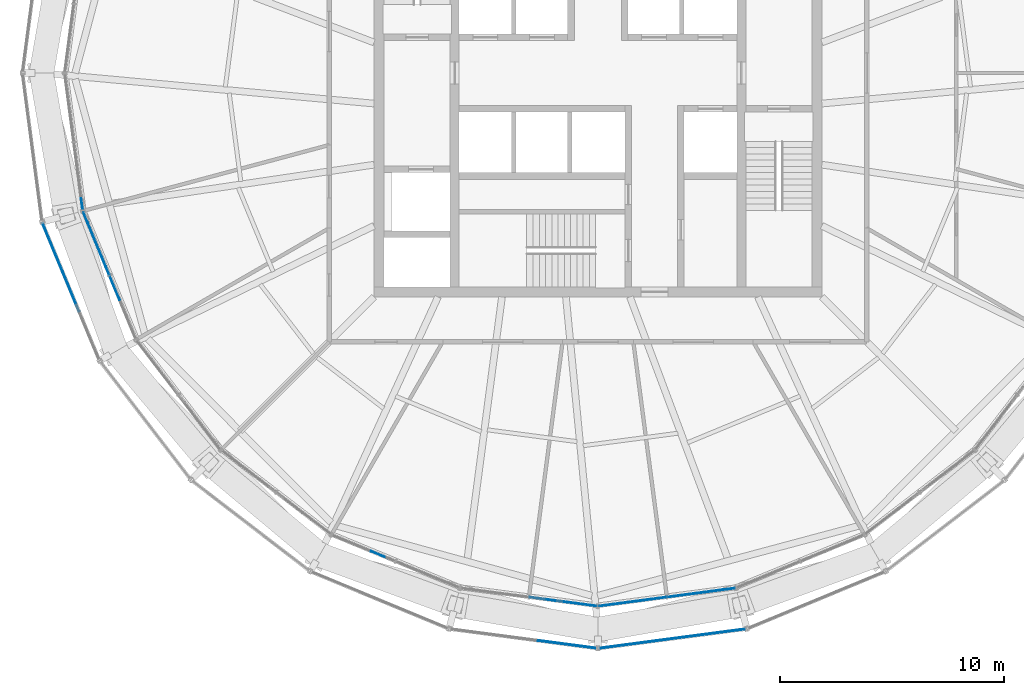
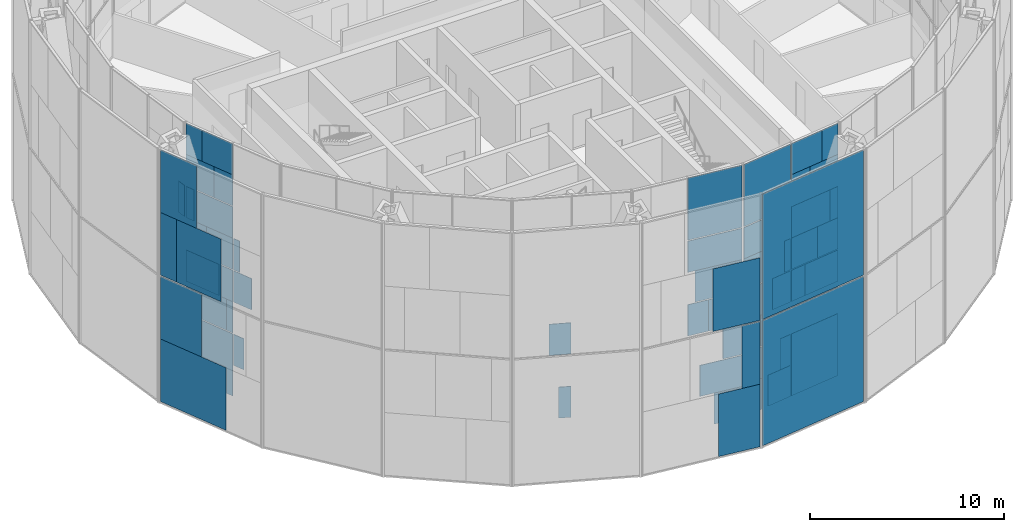
# One storey, part 14 of 28: 62 plates, 8 elements without a shape of their own.
"""IFC4 building model written with IfcOpenShell, lengths in metres."""

from ifc_helpers import new_model, si_unit, direction, frame, origin, origin_2d, place, context, subcontext, project, spatial, rectangle, extrude, material, layer, layer_set, type_object, element, aggregate, save


model = new_model("IFC4")

# Units and contexts
model_context = context("Model", 3, precision=1e-05, world=origin(), true_north=direction((0.0, 1.0)))
body_context = subcontext(model_context, "Body", "Model", "MODEL_VIEW")
ifc_project = project(units=[si_unit("LENGTHUNIT", "METRE"), si_unit("AREAUNIT", "SQUARE_METRE"), si_unit("VOLUMEUNIT", "CUBIC_METRE"), si_unit("PLANEANGLEUNIT", "RADIAN"), si_unit("MASSUNIT", "GRAM", prefix="KILO")], contexts=[model_context])

# Site, building, storey
site_placement = place(None, origin())
site = spatial("IfcSite", under=ifc_project, at=site_placement, CompositionType="ELEMENT")
building_placement = place(site_placement, origin())
building = spatial("IfcBuilding", under=site, at=building_placement, Name="Golbaran Civic Tower", CompositionType="ELEMENT")
storey_placement = place(building_placement, frame((0.0, 0.0, 183.0)))
storey = spatial("IfcBuildingStorey", under=building, at=storey_placement, Name="L44", CompositionType="ELEMENT", Elevation=183.0)

# Curtain wall, plate
ifc_material_1 = material(Name="Aluminium and glass", Category="aluminium")
curtain_wall_type_1 = type_object("IfcCurtainWallType", Name="INNER SKIN CURTAIN WALL EXECUTIVE", PredefinedType="NOTDEFINED", material=ifc_material_1)
curtain_wall_1_placement = place(storey_placement, origin())
curtain_wall_1 = element("IfcCurtainWall", 1, at=curtain_wall_1_placement, inside=storey, type_object=curtain_wall_type_1, Name="Inner skin L44 facet 13 CW2", ObjectType="INNER SKIN", PredefinedType="USERDEFINED")
ifc_material_2 = material(Name="Clear insulating glass", Category="glass")
ifc_layer_1 = layer(ifc_material_2, 0.031982421875, Name="Clear insulating glass")
ifc_layer_set_1 = layer_set([ifc_layer_1], Name="Clear insulating glass")
plate_type_1 = type_object("IfcPlateType", Name="INNER SKIN CURTAIN WALL EXECUTIVE GLAZED PANEL", PredefinedType="CURTAIN_PANEL", material=ifc_layer_set_1)
plate_1_placement = place(storey_placement, frame((-23.04248046875, -5.84423828125, 10.0), z_axis=(0.0, 0.0, 1.0), x_axis=(0.130526192151, -0.991444861383, 0.0)))
plate_1 = element("IfcPlate", 2, at=plate_1_placement, type_object=plate_type_1, Name="CW2 panel 2.3 part 4", PredefinedType="CURTAIN_PANEL", context=body_context, shape_type="SweptSolid", body=[
    extrude(rectangle(XDim=0.523193359375, YDim=0.031982421875, at=origin_2d()), origin(), (0.0, 0.0, 1.0), 1.969970703125),
])
aggregate(curtain_wall_1, [plate_1])

# Curtain wall, plates
curtain_wall_2_placement = place(storey_placement, origin())
curtain_wall_2 = element("IfcCurtainWall", 3, at=curtain_wall_2_placement, inside=storey, type_object=curtain_wall_type_1, Name="Inner skin L44 facet 14 CW2", ObjectType="INNER SKIN", PredefinedType="USERDEFINED")
plate_2_placement = place(storey_placement, frame((-22.400146484375, -7.612548828125, 0.06005859375), z_axis=(0.0, 0.0, 1.0), x_axis=(0.382683432413, -0.923879532491, 0.0)))
plate_2 = element("IfcPlate", 4, at=plate_2_placement, type_object=plate_type_1, Name="CW2 panel 1.1", PredefinedType="CURTAIN_PANEL", context=body_context, shape_type="SweptSolid", body=[
    extrude(rectangle(XDim=3.01806640625, YDim=0.031982421875, at=origin_2d()), origin(), (0.0, 0.0, 1.0), 3.909912109375),
])
plate_3_placement = place(storey_placement, frame((-22.476806640625, -7.42724609375, 4.02978515625), z_axis=(0.0, 0.0, 1.0), x_axis=(0.382683432413, -0.923879532491, 0.0)))
plate_3 = element("IfcPlate", 5, at=plate_3_placement, type_object=plate_type_1, Name="CW2 panel 1.2 part 1", PredefinedType="CURTAIN_PANEL", context=body_context, shape_type="SweptSolid", body=[
    extrude(rectangle(XDim=2.616943359375, YDim=0.031982421875, at=origin_2d()), origin(), (0.0, 0.0, 1.0), 1.969970703125),
])
plate_4_placement = place(storey_placement, frame((-22.56884765625, -7.205078125, 6.0), z_axis=(0.0, 0.0, 1.0), x_axis=(0.382683432413, -0.923879532491, 0.0)))
plate_4 = element("IfcPlate", 6, at=plate_4_placement, type_object=plate_type_1, Name="CW2 panel 1.2 part 3", PredefinedType="CURTAIN_PANEL", context=body_context, shape_type="SweptSolid", body=[
    extrude(rectangle(XDim=2.135986328125, YDim=0.031982421875, at=origin_2d()), origin(), (0.0, 0.0, 1.0), 1.969970703125),
])
plate_5_placement = place(storey_placement, frame((-22.7255859375, -6.826904296875, 8.02978515625), z_axis=(0.0, 0.0, 1.0), x_axis=(0.382683432413, -0.923879532491, 0.0)))
plate_5 = element("IfcPlate", 7, at=plate_5_placement, type_object=plate_type_1, Name="CW2 panel 1.3 part 1", PredefinedType="CURTAIN_PANEL", context=body_context, shape_type="SweptSolid", body=[
    extrude(rectangle(XDim=1.31689453125, YDim=0.031982421875, at=origin_2d()), origin(), (0.0, 0.0, 1.0), 1.969970703125),
])
plate_6_placement = place(storey_placement, frame((-22.877685546875, -6.4599609375, 10.0), z_axis=(0.0, 0.0, 1.0), x_axis=(0.382683432413, -0.923879532491, 0.0)))
plate_6 = element("IfcPlate", 8, at=plate_6_placement, type_object=plate_type_1, Name="CW2 panel 1.3 part 3", PredefinedType="CURTAIN_PANEL", context=body_context, shape_type="SweptSolid", body=[
    extrude(rectangle(XDim=0.52294921875, YDim=0.031982421875, at=origin_2d()), origin(), (0.0, 0.0, 1.0), 1.969970703125),
])
plate_7_placement = place(storey_placement, frame((-22.053955078125, -8.44873046875, 12.030029296875), z_axis=(0.0, 0.0, 1.0), x_axis=(0.382683432413, -0.923879532491, 0.0)))
plate_7 = element("IfcPlate", 9, at=plate_7_placement, type_object=plate_type_1, Name="CW2 panel 1.4 part 2", PredefinedType="CURTAIN_PANEL", context=body_context, shape_type="SweptSolid", body=[
    extrude(rectangle(XDim=1.2080078125, YDim=0.031982421875, at=origin_2d()), origin(), (0.0, 0.0, 1.0), 1.955078125),
])
plate_8_placement = place(storey_placement, frame((-22.20458984375, -8.084716796875, 13.98486328125), z_axis=(0.0, 0.0, 1.0), x_axis=(0.382683432413, -0.923879532491, 0.0)))
plate_8 = element("IfcPlate", 10, at=plate_8_placement, type_object=plate_type_1, Name="CW2 panel 1.4 part 4", PredefinedType="CURTAIN_PANEL", context=body_context, shape_type="SweptSolid", body=[
    extrude(rectangle(XDim=1.99609375, YDim=0.031982421875, at=origin_2d()), origin(), (0.0, 0.0, 1.0), 1.955078125),
])
plate_9_placement = place(storey_placement, frame((-21.671630859375, -9.371826171875, 2.014892578125), z_axis=(0.0, 0.0, 1.0), x_axis=(0.382683432413, -0.923879532491, 0.0)))
plate_9 = element("IfcPlate", 11, at=plate_9_placement, type_object=plate_type_1, Name="CW2 panel 2.1 part 3", PredefinedType="CURTAIN_PANEL", context=body_context, shape_type="SweptSolid", body=[
    extrude(rectangle(XDim=0.669921875, YDim=0.031982421875, at=origin_2d()), origin(), (0.0, 0.0, 1.0), 1.955078125),
])

# Curtain wall, plate
curtain_wall_3_placement = place(storey_placement, origin())
curtain_wall_3 = element("IfcCurtainWall", 12, at=curtain_wall_3_placement, inside=storey, type_object=curtain_wall_type_1, Name="Inner skin L44 facet 17 CW2", ObjectType="INNER SKIN", PredefinedType="USERDEFINED")
plate_10_placement = place(storey_placement, frame((-9.371826171875, -21.671630859375, 2.014892578125), z_axis=(0.0, 0.0, 1.0), x_axis=(0.923879532491, -0.382683432413, 0.0)))
plate_10 = element("IfcPlate", 13, at=plate_10_placement, type_object=plate_type_1, Name="CW2 panel 1.1 part 4", PredefinedType="CURTAIN_PANEL", context=body_context, shape_type="SweptSolid", body=[
    extrude(rectangle(XDim=0.670166015625, YDim=0.031982421875, at=origin_2d()), origin(), (0.0, 0.0, 1.0), 1.955078125),
])

# Curtain wall, plates
curtain_wall_4_placement = place(storey_placement, origin())
curtain_wall_4 = element("IfcCurtainWall", 14, at=curtain_wall_4_placement, inside=storey, type_object=curtain_wall_type_1, Name="Inner skin L44 facet 18 CW2", ObjectType="INNER SKIN", PredefinedType="USERDEFINED")
plate_11_placement = place(storey_placement, frame((-0.5849609375, -23.73486328125, 4.02978515625), z_axis=(0.0, 0.0, 1.0), x_axis=(0.991444861383, -0.130526192151, 0.0)))
plate_11 = element("IfcPlate", 15, at=plate_11_placement, type_object=plate_type_1, Name="CW2 panel 2.2 part 2", PredefinedType="CURTAIN_PANEL", context=body_context, shape_type="SweptSolid", body=[
    extrude(rectangle(XDim=1.06005859375, YDim=0.031982421875, at=origin_2d()), origin(), (0.0, 0.0, 1.0), 1.969970703125),
])
plate_12_placement = place(storey_placement, frame((-0.97900390625, -23.68310546875, 6.0), z_axis=(0.0, 0.0, 1.0), x_axis=(0.991444861383, -0.130526192151, 0.0)))
plate_12 = element("IfcPlate", 16, at=plate_12_placement, type_object=plate_type_1, Name="CW2 panel 2.2 part 4", PredefinedType="CURTAIN_PANEL", context=body_context, shape_type="SweptSolid", body=[
    extrude(rectangle(XDim=1.85498046875, YDim=0.031982421875, at=origin_2d()), origin(), (0.0, 0.0, 1.0), 1.969970703125),
])
plate_13_placement = place(storey_placement, frame((-1.35693359375, -23.63330078125, 8.02978515625), z_axis=(0.0, 0.0, 1.0), x_axis=(0.991444861383, -0.130526192151, 0.0)))
plate_13 = element("IfcPlate", 17, at=plate_13_placement, type_object=plate_type_1, Name="CW2 panel 2.3 part 2", PredefinedType="CURTAIN_PANEL", context=body_context, shape_type="SweptSolid", body=[
    extrude(rectangle(XDim=2.6171875, YDim=0.031982421875, at=origin_2d()), origin(), (0.0, 0.0, 1.0), 1.969970703125),
])
plate_14_placement = place(storey_placement, frame((-1.5556640625, -23.607177734375, 10.0), z_axis=(0.0, 0.0, 1.0), x_axis=(0.991444861383, -0.130526192151, 0.0)))
plate_14 = element("IfcPlate", 18, at=plate_14_placement, type_object=plate_type_1, Name="CW2 panel 2.3 part 3", PredefinedType="CURTAIN_PANEL", context=body_context, shape_type="SweptSolid", body=[
    extrude(rectangle(XDim=3.01806640625, YDim=0.031982421875, at=origin_2d()), origin(), (0.0, 0.0, 1.0), 1.969970703125),
])
plate_15_placement = place(storey_placement, frame((-1.5556640625, -23.607177734375, 12.0302734375), z_axis=(0.0, 0.0, 1.0), x_axis=(0.991444861383, -0.130526192151, 0.0)))
plate_15 = element("IfcPlate", 19, at=plate_15_placement, type_object=plate_type_1, Name="CW2 panel 2.4", PredefinedType="CURTAIN_PANEL", context=body_context, shape_type="SweptSolid", body=[
    extrude(rectangle(XDim=3.01806640625, YDim=0.031982421875, at=origin_2d()), origin(), (0.0, 0.0, 1.0), 3.909912109375),
])

curtain_wall_5_placement = place(storey_placement, origin())
curtain_wall_5 = element("IfcCurtainWall", 20, at=curtain_wall_5_placement, inside=storey, type_object=curtain_wall_type_1, Name="Inner skin L44 facet 19 CW2", ObjectType="INNER SKIN", PredefinedType="USERDEFINED")
plate_16_placement = place(storey_placement, frame((2.328369140625, -23.50537109375, 0.06005859375), z_axis=(0.0, 0.0, 1.0), x_axis=(0.991444861383, 0.130526192151, 0.0)))
plate_16 = element("IfcPlate", 21, at=plate_16_placement, type_object=plate_type_1, Name="CW2 panel 1.1 part 2", PredefinedType="CURTAIN_PANEL", context=body_context, shape_type="SweptSolid", body=[
    extrude(rectangle(XDim=1.458984375, YDim=0.031982421875, at=origin_2d()), origin(), (0.0, 0.0, 1.0), 1.955078125),
])
plate_17_placement = place(storey_placement, frame((2.719482421875, -23.453857421875, 2.014892578125), z_axis=(0.0, 0.0, 1.0), x_axis=(0.991444861383, 0.130526192151, 0.0)))
plate_17 = element("IfcPlate", 22, at=plate_17_placement, type_object=plate_type_1, Name="CW2 panel 1.1 part 4", PredefinedType="CURTAIN_PANEL", context=body_context, shape_type="SweptSolid", body=[
    extrude(rectangle(XDim=0.670166015625, YDim=0.031982421875, at=origin_2d()), origin(), (0.0, 0.0, 1.0), 1.955078125),
])
plate_18_placement = place(storey_placement, frame((0.5849609375, -23.735107421875, 4.02978515625), z_axis=(0.0, 0.0, 1.0), x_axis=(0.991444861383, 0.130526192151, 0.0)))
plate_18 = element("IfcPlate", 23, at=plate_18_placement, type_object=plate_type_1, Name="CW2 panel 1.2 part 1", PredefinedType="CURTAIN_PANEL", context=body_context, shape_type="SweptSolid", body=[
    extrude(rectangle(XDim=1.06005859375, YDim=0.031982421875, at=origin_2d()), origin(), (0.0, 0.0, 1.0), 1.969970703125),
])
plate_19_placement = place(storey_placement, frame((0.97900390625, -23.68310546875, 6.0), z_axis=(0.0, 0.0, 1.0), x_axis=(0.991444861383, 0.130526192151, 0.0)))
plate_19 = element("IfcPlate", 24, at=plate_19_placement, type_object=plate_type_1, Name="CW2 panel 1.2 part 3", PredefinedType="CURTAIN_PANEL", context=body_context, shape_type="SweptSolid", body=[
    extrude(rectangle(XDim=1.85498046875, YDim=0.031982421875, at=origin_2d()), origin(), (0.0, 0.0, 1.0), 1.969970703125),
])
plate_20_placement = place(storey_placement, frame((1.356689453125, -23.63330078125, 8.02978515625), z_axis=(0.0, 0.0, 1.0), x_axis=(0.991444861383, 0.130526192151, 0.0)))
plate_20 = element("IfcPlate", 25, at=plate_20_placement, type_object=plate_type_1, Name="CW2 panel 1.3 part 1", PredefinedType="CURTAIN_PANEL", context=body_context, shape_type="SweptSolid", body=[
    extrude(rectangle(XDim=2.616943359375, YDim=0.031982421875, at=origin_2d()), origin(), (0.0, 0.0, 1.0), 1.969970703125),
])
plate_21_placement = place(storey_placement, frame((1.5556640625, -23.607177734375, 10.0), z_axis=(0.0, 0.0, 1.0), x_axis=(0.991444861383, 0.130526192151, 0.0)))
plate_21 = element("IfcPlate", 26, at=plate_21_placement, type_object=plate_type_1, Name="CW2 panel 1.3 part 3", PredefinedType="CURTAIN_PANEL", context=body_context, shape_type="SweptSolid", body=[
    extrude(rectangle(XDim=3.01806640625, YDim=0.031982421875, at=origin_2d()), origin(), (0.0, 0.0, 1.0), 1.969970703125),
])
plate_22_placement = place(storey_placement, frame((1.5556640625, -23.607177734375, 12.0302734375), z_axis=(0.0, 0.0, 1.0), x_axis=(0.991444861383, 0.130526192151, 0.0)))
plate_22 = element("IfcPlate", 27, at=plate_22_placement, type_object=plate_type_1, Name="CW2 panel 1.4", PredefinedType="CURTAIN_PANEL", context=body_context, shape_type="SweptSolid", body=[
    extrude(rectangle(XDim=3.01806640625, YDim=0.031982421875, at=origin_2d()), origin(), (0.0, 0.0, 1.0), 3.909912109375),
])
plate_23_placement = place(storey_placement, frame((4.607421875, -23.205322265625, 0.06005859375), z_axis=(0.0, 0.0, 1.0), x_axis=(0.991444861383, 0.130526192151, 0.0)))
plate_23 = element("IfcPlate", 28, at=plate_23_placement, type_object=plate_type_1, Name="CW2 panel 2.1", PredefinedType="CURTAIN_PANEL", context=body_context, shape_type="SweptSolid", body=[
    extrude(rectangle(XDim=3.01806640625, YDim=0.031982421875, at=origin_2d()), origin(), (0.0, 0.0, 1.0), 3.909912109375),
])
plate_24_placement = place(storey_placement, frame((4.8056640625, -23.179443359375, 4.02978515625), z_axis=(0.0, 0.0, 1.0), x_axis=(0.991444861383, 0.130526192151, 0.0)))
plate_24 = element("IfcPlate", 29, at=plate_24_placement, type_object=plate_type_1, Name="CW2 panel 2.2 part 2", PredefinedType="CURTAIN_PANEL", context=body_context, shape_type="SweptSolid", body=[
    extrude(rectangle(XDim=2.6181640625, YDim=0.031982421875, at=origin_2d()), origin(), (0.0, 0.0, 1.0), 1.969970703125),
])
plate_25_placement = place(storey_placement, frame((5.044677734375, -23.14794921875, 6.0), z_axis=(0.0, 0.0, 1.0), x_axis=(0.991444861383, 0.130526192151, 0.0)))
plate_25 = element("IfcPlate", 30, at=plate_25_placement, type_object=plate_type_1, Name="CW2 panel 2.2 part 4", PredefinedType="CURTAIN_PANEL", context=body_context, shape_type="SweptSolid", body=[
    extrude(rectangle(XDim=2.135986328125, YDim=0.031982421875, at=origin_2d()), origin(), (0.0, 0.0, 1.0), 1.969970703125),
])
plate_26_placement = place(storey_placement, frame((5.45068359375, -23.094482421875, 8.02978515625), z_axis=(0.0, 0.0, 1.0), x_axis=(0.991444861383, 0.130526192151, 0.0)))
plate_26 = element("IfcPlate", 31, at=plate_26_placement, type_object=plate_type_1, Name="CW2 panel 2.3 part 2", PredefinedType="CURTAIN_PANEL", context=body_context, shape_type="SweptSolid", body=[
    extrude(rectangle(XDim=1.317138671875, YDim=0.031982421875, at=origin_2d()), origin(), (0.0, 0.0, 1.0), 1.969970703125),
])
plate_27_placement = place(storey_placement, frame((5.84423828125, -23.04248046875, 10.0), z_axis=(0.0, 0.0, 1.0), x_axis=(0.991444861383, 0.130526192151, 0.0)))
plate_27 = element("IfcPlate", 32, at=plate_27_placement, type_object=plate_type_1, Name="CW2 panel 2.3 part 4", PredefinedType="CURTAIN_PANEL", context=body_context, shape_type="SweptSolid", body=[
    extrude(rectangle(XDim=0.523193359375, YDim=0.031982421875, at=origin_2d()), origin(), (0.0, 0.0, 1.0), 1.969970703125),
])
plate_28_placement = place(storey_placement, frame((3.7099609375, -23.323486328125, 12.030029296875), z_axis=(0.0, 0.0, 1.0), x_axis=(0.991444861383, 0.130526192151, 0.0)))
plate_28 = element("IfcPlate", 33, at=plate_28_placement, type_object=plate_type_1, Name="CW2 panel 2.4 part 1", PredefinedType="CURTAIN_PANEL", context=body_context, shape_type="SweptSolid", body=[
    extrude(rectangle(XDim=1.2080078125, YDim=0.031982421875, at=origin_2d()), origin(), (0.0, 0.0, 1.0), 1.955078125),
])
plate_29_placement = place(storey_placement, frame((4.1005859375, -23.272216796875, 13.98486328125), z_axis=(0.0, 0.0, 1.0), x_axis=(0.991444861383, 0.130526192151, 0.0)))
plate_29 = element("IfcPlate", 34, at=plate_29_placement, type_object=plate_type_1, Name="CW2 panel 2.4 part 3", PredefinedType="CURTAIN_PANEL", context=body_context, shape_type="SweptSolid", body=[
    extrude(rectangle(XDim=1.99609375, YDim=0.031982421875, at=origin_2d()), origin(), (0.0, 0.0, 1.0), 1.955078125),
])

# Plate
ifc_material_3 = material(Name="Aluminium faced opaque infill panel", Category="aluminium")
ifc_layer_2 = layer(ifc_material_3, 0.031982421875, Name="Aluminium faced opaque infill panel")
ifc_layer_set_2 = layer_set([ifc_layer_2], Name="Aluminium faced opaque infill panel")
plate_type_2 = type_object("IfcPlateType", Name="INNER SKIN CURTAIN WALL EXECUTIVE OPAQUE INFILL PANEL", PredefinedType="CURTAIN_PANEL", material=ifc_layer_set_2)
plate_30_placement = place(storey_placement, frame((-21.8994140625, -8.821533203125, 4.02978515625), z_axis=(0.0, 0.0, 1.0), x_axis=(0.382683432413, -0.923879532491, 0.0)))
plate_30 = element("IfcPlate", 35, at=plate_30_placement, type_object=plate_type_2, Name="CW2 infill panel 1.2 part 2", PredefinedType="CURTAIN_PANEL", context=body_context, shape_type="SweptSolid", body=[
    extrude(rectangle(XDim=0.401123046875, YDim=0.031982421875, at=origin_2d()), origin(), (0.0, 0.0, 1.0), 1.969970703125),
])

plate_31_placement = place(storey_placement, frame((-21.991455078125, -8.599365234375, 6.0), z_axis=(0.0, 0.0, 1.0), x_axis=(0.382683432413, -0.923879532491, 0.0)))
plate_31 = element("IfcPlate", 36, at=plate_31_placement, type_object=plate_type_2, Name="CW2 infill panel 1.2 part 4", PredefinedType="CURTAIN_PANEL", context=body_context, shape_type="SweptSolid", body=[
    extrude(rectangle(XDim=0.882080078125, YDim=0.031982421875, at=origin_2d()), origin(), (0.0, 0.0, 1.0), 1.969970703125),
])

plate_32_placement = place(storey_placement, frame((-22.148193359375, -8.220947265625, 8.02978515625), z_axis=(0.0, 0.0, 1.0), x_axis=(0.382683432413, -0.923879532491, 0.0)))
plate_32 = element("IfcPlate", 37, at=plate_32_placement, type_object=plate_type_2, Name="CW2 infill panel 1.3 part 2", PredefinedType="CURTAIN_PANEL", context=body_context, shape_type="SweptSolid", body=[
    extrude(rectangle(XDim=1.701171875, YDim=0.031982421875, at=origin_2d()), origin(), (0.0, 0.0, 1.0), 1.969970703125),
])

plate_33_placement = place(storey_placement, frame((-22.300048828125, -7.854248046875, 10.0), z_axis=(0.0, 0.0, 1.0), x_axis=(0.382683432413, -0.923879532491, 0.0)))
plate_33 = element("IfcPlate", 38, at=plate_33_placement, type_object=plate_type_2, Name="CW2 infill panel 1.3 part 4", PredefinedType="CURTAIN_PANEL", context=body_context, shape_type="SweptSolid", body=[
    extrude(rectangle(XDim=2.4951171875, YDim=0.031982421875, at=origin_2d()), origin(), (0.0, 0.0, 1.0), 1.969970703125),
])

plate_34_placement = place(storey_placement, frame((-22.63134765625, -7.054443359375, 12.030029296875), z_axis=(0.0, 0.0, 1.0), x_axis=(0.382683432413, -0.923879532491, 0.0)))
plate_34 = element("IfcPlate", 39, at=plate_34_placement, type_object=plate_type_2, Name="CW2 infill panel 1.4 part 1", PredefinedType="CURTAIN_PANEL", context=body_context, shape_type="SweptSolid", body=[
    extrude(rectangle(XDim=1.81005859375, YDim=0.031982421875, at=origin_2d()), origin(), (0.0, 0.0, 1.0), 1.955078125),
])

plate_35_placement = place(storey_placement, frame((-22.7822265625, -6.6904296875, 13.98486328125), z_axis=(0.0, 0.0, 1.0), x_axis=(0.382683432413, -0.923879532491, 0.0)))
plate_35 = element("IfcPlate", 40, at=plate_35_placement, type_object=plate_type_2, Name="CW2 infill panel 1.4 part 3", PredefinedType="CURTAIN_PANEL", context=body_context, shape_type="SweptSolid", body=[
    extrude(rectangle(XDim=1.02197265625, YDim=0.031982421875, at=origin_2d()), origin(), (0.0, 0.0, 1.0), 1.955078125),
])

plate_36_placement = place(storey_placement, frame((-21.5771484375, -9.599365234375, 6.0), z_axis=(0.0, 0.0, 1.0), x_axis=(0.382683432413, -0.923879532491, 0.0)))
plate_36 = element("IfcPlate", 41, at=plate_36_placement, type_object=plate_type_2, Name="CW2 infill panel 2.2 part 3", PredefinedType="CURTAIN_PANEL", context=body_context, shape_type="SweptSolid", body=[
    extrude(rectangle(XDim=1.1630859375, YDim=0.031982421875, at=origin_2d()), origin(), (0.0, 0.0, 1.0), 1.969970703125),
])

plate_37_placement = place(storey_placement, frame((-21.722900390625, -9.24755859375, 8.02978515625), z_axis=(0.0, 0.0, 1.0), x_axis=(0.382683432413, -0.923879532491, 0.0)))
plate_37 = element("IfcPlate", 42, at=plate_37_placement, type_object=plate_type_2, Name="CW2 infill panel 2.3 part 1", PredefinedType="CURTAIN_PANEL", context=body_context, shape_type="SweptSolid", body=[
    extrude(rectangle(XDim=0.40087890625, YDim=0.031982421875, at=origin_2d()), origin(), (0.0, 0.0, 1.0), 1.969970703125),
])

aggregate(curtain_wall_2, [plate_2, plate_3, plate_30, plate_4, plate_31, plate_5, plate_32, plate_6, plate_33, plate_34, plate_7, plate_35, plate_8, plate_9, plate_36, plate_37])

plate_38_placement = place(storey_placement, frame((-9.599609375, -21.5771484375, 6.0), z_axis=(0.0, 0.0, 1.0), x_axis=(0.923879532491, -0.382683432413, 0.0)))
plate_38 = element("IfcPlate", 43, at=plate_38_placement, type_object=plate_type_2, Name="CW2 infill panel 1.2 part 4", PredefinedType="CURTAIN_PANEL", context=body_context, shape_type="SweptSolid", body=[
    extrude(rectangle(XDim=1.1630859375, YDim=0.031982421875, at=origin_2d()), origin(), (0.0, 0.0, 1.0), 1.969970703125),
])

aggregate(curtain_wall_3, [plate_10, plate_38])

plate_39_placement = place(storey_placement, frame((-0.832275390625, -23.702392578125, 0.06005859375), z_axis=(0.0, 0.0, 1.0), x_axis=(0.991444861383, -0.130526192151, 0.0)))
plate_39 = element("IfcPlate", 44, at=plate_39_placement, type_object=plate_type_2, Name="CW2 infill panel 2.1 part 2", PredefinedType="CURTAIN_PANEL", context=body_context, shape_type="SweptSolid", body=[
    extrude(rectangle(XDim=1.55908203125, YDim=0.031982421875, at=origin_2d()), origin(), (0.0, 0.0, 1.0), 1.955078125),
])

plate_40_placement = place(storey_placement, frame((-1.223388671875, -23.65087890625, 2.014892578125), z_axis=(0.0, 0.0, 1.0), x_axis=(0.991444861383, -0.130526192151, 0.0)))
plate_40 = element("IfcPlate", 45, at=plate_40_placement, type_object=plate_type_2, Name="CW2 infill panel 2.1 part 4", PredefinedType="CURTAIN_PANEL", context=body_context, shape_type="SweptSolid", body=[
    extrude(rectangle(XDim=2.34814453125, YDim=0.031982421875, at=origin_2d()), origin(), (0.0, 0.0, 1.0), 1.955078125),
])

plate_41_placement = place(storey_placement, frame((-2.475341796875, -23.486083984375, 6.0), z_axis=(0.0, 0.0, 1.0), x_axis=(0.991444861383, -0.130526192151, 0.0)))
plate_41 = element("IfcPlate", 46, at=plate_41_placement, type_object=plate_type_2, Name="CW2 infill panel 2.2 part 3", PredefinedType="CURTAIN_PANEL", context=body_context, shape_type="SweptSolid", body=[
    extrude(rectangle(XDim=1.1630859375, YDim=0.031982421875, at=origin_2d()), origin(), (0.0, 0.0, 1.0), 1.969970703125),
])

aggregate(curtain_wall_4, [plate_39, plate_40, plate_11, plate_41, plate_12, plate_13, plate_14, plate_15])

plate_42_placement = place(storey_placement, frame((0.832275390625, -23.702392578125, 0.06005859375), z_axis=(0.0, 0.0, 1.0), x_axis=(0.991444861383, 0.130526192151, 0.0)))
plate_42 = element("IfcPlate", 47, at=plate_42_placement, type_object=plate_type_2, Name="CW2 infill panel 1.1 part 1", PredefinedType="CURTAIN_PANEL", context=body_context, shape_type="SweptSolid", body=[
    extrude(rectangle(XDim=1.55908203125, YDim=0.031982421875, at=origin_2d()), origin(), (0.0, 0.0, 1.0), 1.955078125),
])

plate_43_placement = place(storey_placement, frame((1.223388671875, -23.65087890625, 2.014892578125), z_axis=(0.0, 0.0, 1.0), x_axis=(0.991444861383, 0.130526192151, 0.0)))
plate_43 = element("IfcPlate", 48, at=plate_43_placement, type_object=plate_type_2, Name="CW2 infill panel 1.1 part 3", PredefinedType="CURTAIN_PANEL", context=body_context, shape_type="SweptSolid", body=[
    extrude(rectangle(XDim=2.347900390625, YDim=0.031982421875, at=origin_2d()), origin(), (0.0, 0.0, 1.0), 1.955078125),
])

plate_44_placement = place(storey_placement, frame((2.0810546875, -23.5380859375, 4.02978515625), z_axis=(0.0, 0.0, 1.0), x_axis=(0.991444861383, 0.130526192151, 0.0)))
plate_44 = element("IfcPlate", 49, at=plate_44_placement, type_object=plate_type_2, Name="CW2 infill panel 1.2 part 2", PredefinedType="CURTAIN_PANEL", context=body_context, shape_type="SweptSolid", body=[
    extrude(rectangle(XDim=1.9580078125, YDim=0.031982421875, at=origin_2d()), origin(), (0.0, 0.0, 1.0), 1.969970703125),
])

plate_45_placement = place(storey_placement, frame((2.47509765625, -23.486083984375, 6.0), z_axis=(0.0, 0.0, 1.0), x_axis=(0.991444861383, 0.130526192151, 0.0)))
plate_45 = element("IfcPlate", 50, at=plate_45_placement, type_object=plate_type_2, Name="CW2 infill panel 1.2 part 4", PredefinedType="CURTAIN_PANEL", context=body_context, shape_type="SweptSolid", body=[
    extrude(rectangle(XDim=1.1630859375, YDim=0.031982421875, at=origin_2d()), origin(), (0.0, 0.0, 1.0), 1.969970703125),
])

plate_46_placement = place(storey_placement, frame((2.85302734375, -23.4365234375, 8.02978515625), z_axis=(0.0, 0.0, 1.0), x_axis=(0.991444861383, 0.130526192151, 0.0)))
plate_46 = element("IfcPlate", 51, at=plate_46_placement, type_object=plate_type_2, Name="CW2 infill panel 1.3 part 2", PredefinedType="CURTAIN_PANEL", context=body_context, shape_type="SweptSolid", body=[
    extrude(rectangle(XDim=0.401123046875, YDim=0.031982421875, at=origin_2d()), origin(), (0.0, 0.0, 1.0), 1.969970703125),
])

plate_47_placement = place(storey_placement, frame((3.3095703125, -23.376220703125, 4.02978515625), z_axis=(0.0, 0.0, 1.0), x_axis=(0.991444861383, 0.130526192151, 0.0)))
plate_47 = element("IfcPlate", 52, at=plate_47_placement, type_object=plate_type_2, Name="CW2 infill panel 2.2 part 1", PredefinedType="CURTAIN_PANEL", context=body_context, shape_type="SweptSolid", body=[
    extrude(rectangle(XDim=0.39990234375, YDim=0.031982421875, at=origin_2d()), origin(), (0.0, 0.0, 1.0), 1.969970703125),
])

plate_48_placement = place(storey_placement, frame((3.548583984375, -23.3447265625, 6.0), z_axis=(0.0, 0.0, 1.0), x_axis=(0.991444861383, 0.130526192151, 0.0)))
plate_48 = element("IfcPlate", 53, at=plate_48_placement, type_object=plate_type_2, Name="CW2 infill panel 2.2 part 3", PredefinedType="CURTAIN_PANEL", context=body_context, shape_type="SweptSolid", body=[
    extrude(rectangle(XDim=0.882080078125, YDim=0.031982421875, at=origin_2d()), origin(), (0.0, 0.0, 1.0), 1.969970703125),
])

plate_49_placement = place(storey_placement, frame((3.954345703125, -23.29150390625, 8.02978515625), z_axis=(0.0, 0.0, 1.0), x_axis=(0.991444861383, 0.130526192151, 0.0)))
plate_49 = element("IfcPlate", 54, at=plate_49_placement, type_object=plate_type_2, Name="CW2 infill panel 2.3 part 1", PredefinedType="CURTAIN_PANEL", context=body_context, shape_type="SweptSolid", body=[
    extrude(rectangle(XDim=1.700927734375, YDim=0.031982421875, at=origin_2d()), origin(), (0.0, 0.0, 1.0), 1.969970703125),
])

plate_50_placement = place(storey_placement, frame((4.34814453125, -23.239501953125, 10.0), z_axis=(0.0, 0.0, 1.0), x_axis=(0.991444861383, 0.130526192151, 0.0)))
plate_50 = element("IfcPlate", 55, at=plate_50_placement, type_object=plate_type_2, Name="CW2 infill panel 2.3 part 3", PredefinedType="CURTAIN_PANEL", context=body_context, shape_type="SweptSolid", body=[
    extrude(rectangle(XDim=2.4951171875, YDim=0.031982421875, at=origin_2d()), origin(), (0.0, 0.0, 1.0), 1.969970703125),
])

plate_51_placement = place(storey_placement, frame((5.206298828125, -23.126708984375, 12.030029296875), z_axis=(0.0, 0.0, 1.0), x_axis=(0.991444861383, 0.130526192151, 0.0)))
plate_51 = element("IfcPlate", 56, at=plate_51_placement, type_object=plate_type_2, Name="CW2 infill panel 2.4 part 2", PredefinedType="CURTAIN_PANEL", context=body_context, shape_type="SweptSolid", body=[
    extrude(rectangle(XDim=1.81005859375, YDim=0.031982421875, at=origin_2d()), origin(), (0.0, 0.0, 1.0), 1.955078125),
])

plate_52_placement = place(storey_placement, frame((5.596923828125, -23.0751953125, 13.98486328125), z_axis=(0.0, 0.0, 1.0), x_axis=(0.991444861383, 0.130526192151, 0.0)))
plate_52 = element("IfcPlate", 57, at=plate_52_placement, type_object=plate_type_2, Name="CW2 infill panel 2.4 part 4", PredefinedType="CURTAIN_PANEL", context=body_context, shape_type="SweptSolid", body=[
    extrude(rectangle(XDim=1.02197265625, YDim=0.031982421875, at=origin_2d()), origin(), (0.0, 0.0, 1.0), 1.955078125),
])

aggregate(curtain_wall_5, [plate_42, plate_16, plate_43, plate_17, plate_18, plate_44, plate_19, plate_45, plate_20, plate_46, plate_21, plate_22, plate_23, plate_47, plate_24, plate_48, plate_25, plate_49, plate_26, plate_50, plate_27, plate_28, plate_51, plate_29, plate_52])

# Curtain wall, plates
curtain_wall_type_2 = type_object("IfcCurtainWallType", Name="OUTER SKIN TERRACOTTA SCREEN", PredefinedType="NOTDEFINED", material=ifc_material_1)
curtain_wall_6_placement = place(storey_placement, origin())
curtain_wall_6 = element("IfcCurtainWall", 58, at=curtain_wall_6_placement, inside=storey, type_object=curtain_wall_type_2, Name="Outer skin L44 facet 14 CW3", ObjectType="OUTER SKIN", PredefinedType="USERDEFINED")
ifc_material_4 = material(Name="Clear laminated glass", Category="glass")
ifc_layer_3 = layer(ifc_material_4, 0.0400390625, Name="Clear laminated glass")
ifc_layer_set_3 = layer_set([ifc_layer_3], Name="Clear laminated glass")
plate_type_3 = type_object("IfcPlateType", Name="OUTER SKIN CLEAR GLASS PANEL", PredefinedType="CURTAIN_PANEL", material=ifc_layer_set_3)
plate_53_placement = place(storey_placement, frame((-23.979248046875, -8.683837890625, -0.6298828125), z_axis=(0.0, 0.0, 1.0), x_axis=(0.382683432349, -0.923879532518, 0.0)))
plate_53 = element("IfcPlate", 59, at=plate_53_placement, type_object=plate_type_3, Name="CW3 panel 1.1 part 1", PredefinedType="CURTAIN_PANEL", context=body_context, shape_type="SweptSolid", body=[
    extrude(rectangle(XDim=4.240966796875, YDim=0.0400390625, at=origin_2d()), origin(), (0.0, 0.0, 1.0), 3.93994140625),
])
plate_54_placement = place(storey_placement, frame((-24.283447265625, -7.949951171875, 3.31005859375), z_axis=(0.0, 0.0, 1.0), x_axis=(0.382683432349, -0.923879532518, 0.0)))
plate_54 = element("IfcPlate", 60, at=plate_54_placement, type_object=plate_type_3, Name="CW3 panel 1.1 part 3", PredefinedType="CURTAIN_PANEL", context=body_context, shape_type="SweptSolid", body=[
    extrude(rectangle(XDim=2.652099609375, YDim=0.0400390625, at=origin_2d()), origin(), (0.0, 0.0, 1.0), 3.93994140625),
])
plate_55_placement = place(storey_placement, frame((-24.593505859375, -7.200927734375, 7.330078125), z_axis=(0.0, 0.0, 1.0), x_axis=(0.382683432349, -0.923879532518, 0.0)))
plate_55 = element("IfcPlate", 61, at=plate_55_placement, type_object=plate_type_3, Name="CW3 panel 1.2 part 1", PredefinedType="CURTAIN_PANEL", context=body_context, shape_type="SweptSolid", body=[
    extrude(rectangle(XDim=1.031005859375, YDim=0.0400390625, at=origin_2d()), origin(), (0.0, 0.0, 1.0), 3.93994140625),
])

curtain_wall_7_placement = place(storey_placement, origin())
curtain_wall_7 = element("IfcCurtainWall", 62, at=curtain_wall_7_placement, inside=storey, type_object=curtain_wall_type_2, Name="Outer skin L44 facet 18 CW3", ObjectType="OUTER SKIN", PredefinedType="USERDEFINED")
plate_56_placement = place(storey_placement, frame((-0.5732421875, -25.62158203125, 3.31005859375), z_axis=(0.0, 0.0, 1.0), x_axis=(0.991444861372, -0.130526192237, 0.0)))
plate_56 = element("IfcPlate", 63, at=plate_56_placement, type_object=plate_type_3, Name="CW3 panel 1.1 part 5", PredefinedType="CURTAIN_PANEL", context=body_context, shape_type="SweptSolid", body=[
    extrude(rectangle(XDim=0.996337890625, YDim=0.0400390625, at=origin_2d()), origin(), (0.0, 0.0, 1.0), 3.93994140625),
])
plate_57_placement = place(storey_placement, frame((-1.376708984375, -25.515869140625, 7.330078125), z_axis=(0.0, 0.0, 1.0), x_axis=(0.991444861372, -0.130526192237, 0.0)))
plate_57 = element("IfcPlate", 64, at=plate_57_placement, type_object=plate_type_3, Name="CW3 panel 1.2 part 3", PredefinedType="CURTAIN_PANEL", context=body_context, shape_type="SweptSolid", body=[
    extrude(rectangle(XDim=2.6171875, YDim=0.0400390625, at=origin_2d()), origin(), (0.0, 0.0, 1.0), 3.93994140625),
])

# Plate
ifc_material_5 = material(Name="Terracotta baguette screen", Category="masonry")
ifc_layer_4 = layer(ifc_material_5, 0.0400390625, Name="Terracotta baguette screen")
ifc_layer_set_4 = layer_set([ifc_layer_4], Name="Terracotta baguette screen")
plate_type_4 = type_object("IfcPlateType", Name="OUTER SKIN TERRACOTTA INFILL PANEL", PredefinedType="CURTAIN_PANEL", material=ifc_layer_set_4)
plate_58_placement = place(storey_placement, frame((-23.84130859375, -9.016845703125, 7.330078125), z_axis=(0.0, 0.0, 1.0), x_axis=(0.382683432349, -0.923879532518, 0.0)))
plate_58 = element("IfcPlate", 65, at=plate_58_placement, type_object=plate_type_4, Name="CW3 infill panel 1.2 part 2", PredefinedType="CURTAIN_PANEL", context=body_context, shape_type="SweptSolid", body=[
    extrude(rectangle(XDim=2.89990234375, YDim=0.0400390625, at=origin_2d()), origin(), (0.0, 0.0, 1.0), 3.93994140625),
])

plate_59_placement = place(storey_placement, frame((-24.343017578125, -7.8056640625, 11.27001953125), z_axis=(0.0, 0.0, 1.0), x_axis=(0.382683432349, -0.923879532518, 0.0)))
plate_59 = element("IfcPlate", 66, at=plate_59_placement, type_object=plate_type_4, Name="CW3 infill panel 1.2 part 4", PredefinedType="CURTAIN_PANEL", context=body_context, shape_type="SweptSolid", body=[
    extrude(rectangle(XDim=2.340087890625, YDim=0.0400390625, at=origin_2d()), origin(), (0.0, 0.0, 1.0), 3.93994140625),
])

aggregate(curtain_wall_6, [plate_53, plate_54, plate_55, plate_58, plate_59])

plate_60_placement = place(storey_placement, frame((-1.22314453125, -25.535888671875, -0.6298828125), z_axis=(0.0, 0.0, 1.0), x_axis=(0.991444861372, -0.130526192237, 0.0)))
plate_60 = element("IfcPlate", 67, at=plate_60_placement, type_object=plate_type_4, Name="CW3 infill panel 1.1 part 2", PredefinedType="CURTAIN_PANEL", context=body_context, shape_type="SweptSolid", body=[
    extrude(rectangle(XDim=2.307373046875, YDim=0.0400390625, at=origin_2d()), origin(), (0.0, 0.0, 1.0), 3.93994140625),
])

aggregate(curtain_wall_7, [plate_60, plate_56, plate_57])

# Curtain wall, plates
curtain_wall_8_placement = place(storey_placement, origin())
curtain_wall_8 = element("IfcCurtainWall", 68, at=curtain_wall_8_placement, inside=storey, type_object=curtain_wall_type_2, Name="Outer skin L44 facet 19 CW3", ObjectType="OUTER SKIN", PredefinedType="USERDEFINED")
ifc_layer_5 = layer(ifc_material_5, 0.0400390625, Name="Terracotta baguette screen")
ifc_layer_set_5 = layer_set([ifc_layer_5], Name="Terracotta baguette screen")
plate_type_5 = type_object("IfcPlateType", Name="OUTER SKIN TERRACOTTA SCREEN PANEL", PredefinedType="CURTAIN_PANEL", material=ifc_layer_set_5)
plate_61_placement = place(storey_placement, frame((3.325439453125, -25.25927734375, -0.6298828125), z_axis=(0.0, 0.0, 1.0), x_axis=(0.991444861372, 0.130526192237, 0.0)))
plate_61 = element("IfcPlate", 69, at=plate_61_placement, type_object=plate_type_5, Name="CW3 terracotta screen panel 1.1", PredefinedType="CURTAIN_PANEL", context=body_context, shape_type="SweptSolid", body=[
    extrude(rectangle(XDim=6.54833984375, YDim=0.0400390625, at=origin_2d()), origin(), (0.0, 0.0, 1.0), 7.8798828125),
])
plate_62_placement = place(storey_placement, frame((3.325439453125, -25.25927734375, 7.330078125), z_axis=(0.0, 0.0, 1.0), x_axis=(0.991444861372, 0.130526192237, 0.0)))
plate_62 = element("IfcPlate", 70, at=plate_62_placement, type_object=plate_type_5, Name="CW3 terracotta screen panel 1.2", PredefinedType="CURTAIN_PANEL", context=body_context, shape_type="SweptSolid", body=[
    extrude(rectangle(XDim=6.54833984375, YDim=0.0400390625, at=origin_2d()), origin(), (0.0, 0.0, 1.0), 7.8798828125),
])
aggregate(curtain_wall_8, [plate_61, plate_62])

save(model, "model.ifc")
